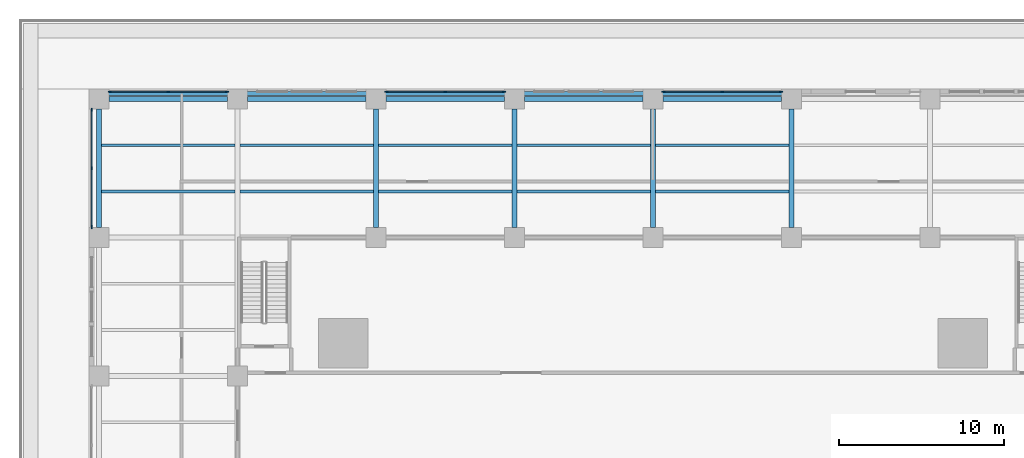
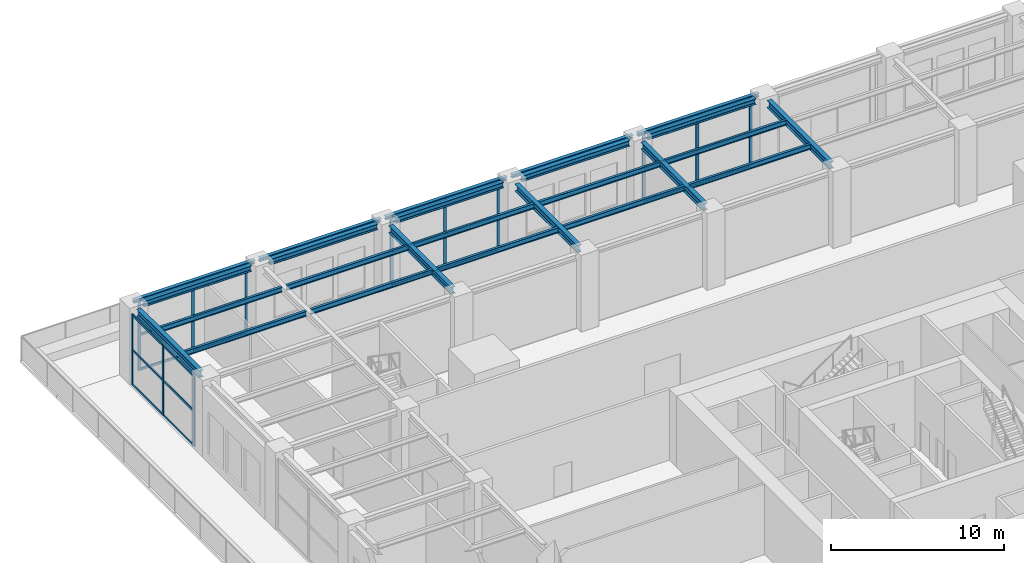
# One storey, part 9 of 36: 36 members, 25 beams, 4 elements without a shape of their own.
"""IFC4 building model written with IfcOpenShell, lengths in metres."""

from ifc_helpers import new_model, si_unit, direction, frame, origin, origin_2d, place, context, subcontext, project, spatial, rectangle, i_section, extrude, material, material_profile, profile_set, type_object, element, aggregate, save


model = new_model("IFC4")

# Units and contexts
model_context = context("Model", 3, precision=1e-05, world=origin(), true_north=direction((0.0, 1.0)))
body_context = subcontext(model_context, "Body", "Model", "MODEL_VIEW")
ifc_project = project(units=[si_unit("LENGTHUNIT", "METRE"), si_unit("AREAUNIT", "SQUARE_METRE"), si_unit("VOLUMEUNIT", "CUBIC_METRE"), si_unit("PLANEANGLEUNIT", "RADIAN"), si_unit("MASSUNIT", "GRAM", prefix="KILO")], contexts=[model_context])

# Site, building, storey
site_placement = place(None, origin())
site = spatial("IfcSite", under=ifc_project, at=site_placement, CompositionType="ELEMENT")
building_placement = place(site_placement, origin())
building = spatial("IfcBuilding", under=site, at=building_placement, Name="Khepri Terraces", CompositionType="ELEMENT")
storey_placement = place(building_placement, frame((0.0, 0.0, 16.800048828125)))
storey = spatial("IfcBuildingStorey", under=building, at=storey_placement, Name="L03", CompositionType="ELEMENT", Elevation=16.800048828125)

# Curtain wall, members
ifc_material_1 = material(Name="Anodised aluminium bronze curtain wall", Category="aluminium")
curtain_wall_type = type_object("IfcCurtainWallType", Name="CW-SYS5-BALLROOM", PredefinedType="NOTDEFINED", material=ifc_material_1)
curtain_wall_1_placement = place(storey_placement, origin())
curtain_wall_1 = element("IfcCurtainWall", 1, at=curtain_wall_1_placement, inside=storey, type_object=curtain_wall_type, Name="Curtain wall CW5 L03 N", PredefinedType="NOTDEFINED")
ifc_material_2 = material(Name="Anodised aluminium bronze", Category="aluminium")
ifc_material_profile_1 = material_profile(ifc_material_2, rectangle(XDim=0.080078125, YDim=0.199951171875, at=origin_2d()), Name="Anodised aluminium bronze", Category="aluminium")
ifc_profile_set_1 = profile_set([ifc_material_profile_1], Name="Anodised aluminium bronze")
member_type_1 = type_object("IfcMemberType", Name="CW-MULLION-80x200", PredefinedType="MULLION", material=ifc_profile_set_1)
member_1_placement = place(storey_placement, frame((7.760009765625, 34.050048828125, 0.0), z_axis=(0.0, 0.0, 1.0), x_axis=(0.0, -1.0, 0.0)))
member_1 = element("IfcMember", 2, at=member_1_placement, type_object=member_type_1, Name="CW5 mullion 1", PredefinedType="MULLION", context=body_context, shape_type="SweptSolid", body=[
    extrude(rectangle(XDim=0.080078125, YDim=0.199951171875, at=origin_2d()), origin(), (0.0, 0.0, 1.0), 4.97998046875),
])
member_2_placement = place(storey_placement, frame((4.199951171875, 34.050048828125, 0.0), z_axis=(0.0, 0.0, 1.0), x_axis=(0.0, -1.0, 0.0)))
member_2 = element("IfcMember", 3, at=member_2_placement, type_object=member_type_1, Name="CW5 mullion 2", PredefinedType="MULLION", context=body_context, shape_type="SweptSolid", body=[
    extrude(rectangle(XDim=0.080078125, YDim=0.199951171875, at=origin_2d()), origin(), (0.0, 0.0, 1.0), 4.97998046875),
])
member_3_placement = place(storey_placement, frame((0.639892578125, 34.050048828125, 0.0), z_axis=(0.0, 0.0, 1.0), x_axis=(0.0, -1.0, 0.0)))
member_3 = element("IfcMember", 4, at=member_3_placement, type_object=member_type_1, Name="CW5 mullion 3", PredefinedType="MULLION", context=body_context, shape_type="SweptSolid", body=[
    extrude(rectangle(XDim=0.080078125, YDim=0.199951171875, at=origin_2d()), origin(), (0.0, 0.0, 1.0), 4.97998046875),
])

curtain_wall_2_placement = place(storey_placement, origin())
curtain_wall_2 = element("IfcCurtainWall", 5, at=curtain_wall_2_placement, inside=storey, type_object=curtain_wall_type, Name="Curtain wall CW5 L03 N", PredefinedType="NOTDEFINED")
member_4_placement = place(storey_placement, frame((-9.0400390625, 34.050048828125, 0.0), z_axis=(0.0, 0.0, 1.0), x_axis=(0.0, -1.0, 0.0)))
member_4 = element("IfcMember", 6, at=member_4_placement, type_object=member_type_1, Name="CW5 mullion 1", PredefinedType="MULLION", context=body_context, shape_type="SweptSolid", body=[
    extrude(rectangle(XDim=0.080078125, YDim=0.199951171875, at=origin_2d()), origin(), (0.0, 0.0, 1.0), 4.97998046875),
])
member_5_placement = place(storey_placement, frame((-12.60009765625, 34.050048828125, 0.0), z_axis=(0.0, 0.0, 1.0), x_axis=(0.0, -1.0, 0.0)))
member_5 = element("IfcMember", 7, at=member_5_placement, type_object=member_type_1, Name="CW5 mullion 2", PredefinedType="MULLION", context=body_context, shape_type="SweptSolid", body=[
    extrude(rectangle(XDim=0.080078125, YDim=0.199951171875, at=origin_2d()), origin(), (0.0, 0.0, 1.0), 4.97998046875),
])
member_6_placement = place(storey_placement, frame((-16.159912109375, 34.050048828125, 0.0), z_axis=(0.0, 0.0, 1.0), x_axis=(0.0, -1.0, 0.0)))
member_6 = element("IfcMember", 8, at=member_6_placement, type_object=member_type_1, Name="CW5 mullion 3", PredefinedType="MULLION", context=body_context, shape_type="SweptSolid", body=[
    extrude(rectangle(XDim=0.080078125, YDim=0.199951171875, at=origin_2d()), origin(), (0.0, 0.0, 1.0), 4.97998046875),
])

curtain_wall_3_placement = place(storey_placement, origin())
curtain_wall_3 = element("IfcCurtainWall", 9, at=curtain_wall_3_placement, inside=storey, type_object=curtain_wall_type, Name="Curtain wall CW5 L03 N", PredefinedType="NOTDEFINED")
member_7_placement = place(storey_placement, frame((-25.840087890625, 34.050048828125, 0.0), z_axis=(0.0, 0.0, 1.0), x_axis=(0.0, -1.0, 0.0)))
member_7 = element("IfcMember", 10, at=member_7_placement, type_object=member_type_1, Name="CW5 mullion 1", PredefinedType="MULLION", context=body_context, shape_type="SweptSolid", body=[
    extrude(rectangle(XDim=0.080078125, YDim=0.199951171875, at=origin_2d()), origin(), (0.0, 0.0, 1.0), 4.97998046875),
])
member_8_placement = place(storey_placement, frame((-29.39990234375, 34.050048828125, 0.0), z_axis=(0.0, 0.0, 1.0), x_axis=(0.0, -1.0, 0.0)))
member_8 = element("IfcMember", 11, at=member_8_placement, type_object=member_type_1, Name="CW5 mullion 2", PredefinedType="MULLION", context=body_context, shape_type="SweptSolid", body=[
    extrude(rectangle(XDim=0.080078125, YDim=0.199951171875, at=origin_2d()), origin(), (0.0, 0.0, 1.0), 4.97998046875),
])
member_9_placement = place(storey_placement, frame((-32.9599609375, 34.050048828125, 0.0), z_axis=(0.0, 0.0, 1.0), x_axis=(0.0, -1.0, 0.0)))
member_9 = element("IfcMember", 12, at=member_9_placement, type_object=member_type_1, Name="CW5 mullion 3", PredefinedType="MULLION", context=body_context, shape_type="SweptSolid", body=[
    extrude(rectangle(XDim=0.080078125, YDim=0.199951171875, at=origin_2d()), origin(), (0.0, 0.0, 1.0), 4.97998046875),
])

curtain_wall_4_placement = place(storey_placement, origin())
curtain_wall_4 = element("IfcCurtainWall", 13, at=curtain_wall_4_placement, inside=storey, type_object=curtain_wall_type, Name="Curtain wall CW5 L03 W", PredefinedType="NOTDEFINED")
member_10_placement = place(storey_placement, frame((-34.050048828125, 32.9599609375, 0.0), z_axis=(0.0, 0.0, 1.0), x_axis=(1.0, 0.0, 0.0)))
member_10 = element("IfcMember", 14, at=member_10_placement, type_object=member_type_1, Name="CW5 mullion 1", PredefinedType="MULLION", context=body_context, shape_type="SweptSolid", body=[
    extrude(rectangle(XDim=0.080078125, YDim=0.199951171875, at=origin_2d()), origin(), (0.0, 0.0, 1.0), 4.97998046875),
])
member_11_placement = place(storey_placement, frame((-34.050048828125, 29.39990234375, 0.0), z_axis=(0.0, 0.0, 1.0), x_axis=(1.0, 0.0, 0.0)))
member_11 = element("IfcMember", 15, at=member_11_placement, type_object=member_type_1, Name="CW5 mullion 2", PredefinedType="MULLION", context=body_context, shape_type="SweptSolid", body=[
    extrude(rectangle(XDim=0.080078125, YDim=0.199951171875, at=origin_2d()), origin(), (0.0, 0.0, 1.0), 4.97998046875),
])
member_12_placement = place(storey_placement, frame((-34.050048828125, 25.840087890625, 0.0), z_axis=(0.0, 0.0, 1.0), x_axis=(1.0, 0.0, 0.0)))
member_12 = element("IfcMember", 16, at=member_12_placement, type_object=member_type_1, Name="CW5 mullion 3", PredefinedType="MULLION", context=body_context, shape_type="SweptSolid", body=[
    extrude(rectangle(XDim=0.080078125, YDim=0.199951171875, at=origin_2d()), origin(), (0.0, 0.0, 1.0), 4.97998046875),
])

# Member
ifc_material_profile_2 = material_profile(ifc_material_2, rectangle(XDim=0.080078125, YDim=0.159912109375, at=origin_2d()), Name="Anodised aluminium bronze", Category="aluminium")
ifc_profile_set_2 = profile_set([ifc_material_profile_2], Name="Anodised aluminium bronze")
member_type_2 = type_object("IfcMemberType", Name="CW-TRANSOM-80x160", PredefinedType="USERDEFINED", material=ifc_profile_set_2)
member_13_placement = place(storey_placement, frame((7.719970703125, 34.050048828125, 0.0400390625), z_axis=(-1.0, 0.0, 0.0), x_axis=(0.0, -1.0, 0.0)))
member_13 = element("IfcMember", 17, at=member_13_placement, type_object=member_type_2, Name="CW5 transom 1.1", ObjectType="TRANSOM", PredefinedType="USERDEFINED", context=body_context, shape_type="SweptSolid", body=[
    extrude(rectangle(XDim=0.080078125, YDim=0.159912109375, at=origin_2d()), origin(), (0.0, 0.0, 1.0), 3.47998046875),
])

member_14_placement = place(storey_placement, frame((7.719970703125, 34.050048828125, 2.489990234375), z_axis=(-1.0, 0.0, 0.0), x_axis=(0.0, -1.0, 0.0)))
member_14 = element("IfcMember", 18, at=member_14_placement, type_object=member_type_2, Name="CW5 transom 1.2", ObjectType="TRANSOM", PredefinedType="USERDEFINED", context=body_context, shape_type="SweptSolid", body=[
    extrude(rectangle(XDim=0.080078125, YDim=0.159912109375, at=origin_2d()), origin(), (0.0, 0.0, 1.0), 3.47998046875),
])

member_15_placement = place(storey_placement, frame((7.719970703125, 34.050048828125, 4.93994140625), z_axis=(-1.0, 0.0, 0.0), x_axis=(0.0, -1.0, 0.0)))
member_15 = element("IfcMember", 19, at=member_15_placement, type_object=member_type_2, Name="CW5 transom 1.3", ObjectType="TRANSOM", PredefinedType="USERDEFINED", context=body_context, shape_type="SweptSolid", body=[
    extrude(rectangle(XDim=0.080078125, YDim=0.159912109375, at=origin_2d()), origin(), (0.0, 0.0, 1.0), 3.47998046875),
])

member_16_placement = place(storey_placement, frame((4.159912109375, 34.050048828125, 0.0400390625), z_axis=(-1.0, 0.0, 0.0), x_axis=(0.0, -1.0, 0.0)))
member_16 = element("IfcMember", 20, at=member_16_placement, type_object=member_type_2, Name="CW5 transom 2.1", ObjectType="TRANSOM", PredefinedType="USERDEFINED", context=body_context, shape_type="SweptSolid", body=[
    extrude(rectangle(XDim=0.080078125, YDim=0.159912109375, at=origin_2d()), origin(), (0.0, 0.0, 1.0), 3.47998046875),
])

member_17_placement = place(storey_placement, frame((4.159912109375, 34.050048828125, 2.489990234375), z_axis=(-1.0, 0.0, 0.0), x_axis=(0.0, -1.0, 0.0)))
member_17 = element("IfcMember", 21, at=member_17_placement, type_object=member_type_2, Name="CW5 transom 2.2", ObjectType="TRANSOM", PredefinedType="USERDEFINED", context=body_context, shape_type="SweptSolid", body=[
    extrude(rectangle(XDim=0.080078125, YDim=0.159912109375, at=origin_2d()), origin(), (0.0, 0.0, 1.0), 3.47998046875),
])

member_18_placement = place(storey_placement, frame((4.159912109375, 34.050048828125, 4.93994140625), z_axis=(-1.0, 0.0, 0.0), x_axis=(0.0, -1.0, 0.0)))
member_18 = element("IfcMember", 22, at=member_18_placement, type_object=member_type_2, Name="CW5 transom 2.3", ObjectType="TRANSOM", PredefinedType="USERDEFINED", context=body_context, shape_type="SweptSolid", body=[
    extrude(rectangle(XDim=0.080078125, YDim=0.159912109375, at=origin_2d()), origin(), (0.0, 0.0, 1.0), 3.47998046875),
])

aggregate(curtain_wall_1, [member_1, member_2, member_3, member_13, member_14, member_15, member_16, member_17, member_18])

member_19_placement = place(storey_placement, frame((-9.080078125, 34.050048828125, 0.0400390625), z_axis=(-1.0, 0.0, 0.0), x_axis=(0.0, -1.0, 0.0)))
member_19 = element("IfcMember", 23, at=member_19_placement, type_object=member_type_2, Name="CW5 transom 1.1", ObjectType="TRANSOM", PredefinedType="USERDEFINED", context=body_context, shape_type="SweptSolid", body=[
    extrude(rectangle(XDim=0.080078125, YDim=0.159912109375, at=origin_2d()), origin(), (0.0, 0.0, 1.0), 3.47998046875),
])

member_20_placement = place(storey_placement, frame((-9.080078125, 34.050048828125, 2.489990234375), z_axis=(-1.0, 0.0, 0.0), x_axis=(0.0, -1.0, 0.0)))
member_20 = element("IfcMember", 24, at=member_20_placement, type_object=member_type_2, Name="CW5 transom 1.2", ObjectType="TRANSOM", PredefinedType="USERDEFINED", context=body_context, shape_type="SweptSolid", body=[
    extrude(rectangle(XDim=0.080078125, YDim=0.159912109375, at=origin_2d()), origin(), (0.0, 0.0, 1.0), 3.47998046875),
])

member_21_placement = place(storey_placement, frame((-9.080078125, 34.050048828125, 4.93994140625), z_axis=(-1.0, 0.0, 0.0), x_axis=(0.0, -1.0, 0.0)))
member_21 = element("IfcMember", 25, at=member_21_placement, type_object=member_type_2, Name="CW5 transom 1.3", ObjectType="TRANSOM", PredefinedType="USERDEFINED", context=body_context, shape_type="SweptSolid", body=[
    extrude(rectangle(XDim=0.080078125, YDim=0.159912109375, at=origin_2d()), origin(), (0.0, 0.0, 1.0), 3.47998046875),
])

member_22_placement = place(storey_placement, frame((-12.639892578125, 34.050048828125, 0.0400390625), z_axis=(-1.0, 0.0, 0.0), x_axis=(0.0, -1.0, 0.0)))
member_22 = element("IfcMember", 26, at=member_22_placement, type_object=member_type_2, Name="CW5 transom 2.1", ObjectType="TRANSOM", PredefinedType="USERDEFINED", context=body_context, shape_type="SweptSolid", body=[
    extrude(rectangle(XDim=0.080078125, YDim=0.159912109375, at=origin_2d()), origin(), (0.0, 0.0, 1.0), 3.480224609375),
])

member_23_placement = place(storey_placement, frame((-12.639892578125, 34.050048828125, 2.489990234375), z_axis=(-1.0, 0.0, 0.0), x_axis=(0.0, -1.0, 0.0)))
member_23 = element("IfcMember", 27, at=member_23_placement, type_object=member_type_2, Name="CW5 transom 2.2", ObjectType="TRANSOM", PredefinedType="USERDEFINED", context=body_context, shape_type="SweptSolid", body=[
    extrude(rectangle(XDim=0.080078125, YDim=0.159912109375, at=origin_2d()), origin(), (0.0, 0.0, 1.0), 3.480224609375),
])

member_24_placement = place(storey_placement, frame((-12.639892578125, 34.050048828125, 4.93994140625), z_axis=(-1.0, 0.0, 0.0), x_axis=(0.0, -1.0, 0.0)))
member_24 = element("IfcMember", 28, at=member_24_placement, type_object=member_type_2, Name="CW5 transom 2.3", ObjectType="TRANSOM", PredefinedType="USERDEFINED", context=body_context, shape_type="SweptSolid", body=[
    extrude(rectangle(XDim=0.080078125, YDim=0.159912109375, at=origin_2d()), origin(), (0.0, 0.0, 1.0), 3.480224609375),
])

aggregate(curtain_wall_2, [member_4, member_5, member_6, member_19, member_20, member_21, member_22, member_23, member_24])

member_25_placement = place(storey_placement, frame((-25.8798828125, 34.050048828125, 0.0400390625), z_axis=(-1.0, 0.0, 0.0), x_axis=(0.0, -1.0, 0.0)))
member_25 = element("IfcMember", 29, at=member_25_placement, type_object=member_type_2, Name="CW5 transom 1.1", ObjectType="TRANSOM", PredefinedType="USERDEFINED", context=body_context, shape_type="SweptSolid", body=[
    extrude(rectangle(XDim=0.080078125, YDim=0.159912109375, at=origin_2d()), origin(), (0.0, 0.0, 1.0), 3.480224609375),
])

member_26_placement = place(storey_placement, frame((-25.8798828125, 34.050048828125, 2.489990234375), z_axis=(-1.0, 0.0, 0.0), x_axis=(0.0, -1.0, 0.0)))
member_26 = element("IfcMember", 30, at=member_26_placement, type_object=member_type_2, Name="CW5 transom 1.2", ObjectType="TRANSOM", PredefinedType="USERDEFINED", context=body_context, shape_type="SweptSolid", body=[
    extrude(rectangle(XDim=0.080078125, YDim=0.159912109375, at=origin_2d()), origin(), (0.0, 0.0, 1.0), 3.480224609375),
])

member_27_placement = place(storey_placement, frame((-25.8798828125, 34.050048828125, 4.93994140625), z_axis=(-1.0, 0.0, 0.0), x_axis=(0.0, -1.0, 0.0)))
member_27 = element("IfcMember", 31, at=member_27_placement, type_object=member_type_2, Name="CW5 transom 1.3", ObjectType="TRANSOM", PredefinedType="USERDEFINED", context=body_context, shape_type="SweptSolid", body=[
    extrude(rectangle(XDim=0.080078125, YDim=0.159912109375, at=origin_2d()), origin(), (0.0, 0.0, 1.0), 3.480224609375),
])

member_28_placement = place(storey_placement, frame((-29.43994140625, 34.050048828125, 0.0400390625), z_axis=(-1.0, 0.0, 0.0), x_axis=(0.0, -1.0, 0.0)))
member_28 = element("IfcMember", 32, at=member_28_placement, type_object=member_type_2, Name="CW5 transom 2.1", ObjectType="TRANSOM", PredefinedType="USERDEFINED", context=body_context, shape_type="SweptSolid", body=[
    extrude(rectangle(XDim=0.080078125, YDim=0.159912109375, at=origin_2d()), origin(), (0.0, 0.0, 1.0), 3.47998046875),
])

member_29_placement = place(storey_placement, frame((-29.43994140625, 34.050048828125, 2.489990234375), z_axis=(-1.0, 0.0, 0.0), x_axis=(0.0, -1.0, 0.0)))
member_29 = element("IfcMember", 33, at=member_29_placement, type_object=member_type_2, Name="CW5 transom 2.2", ObjectType="TRANSOM", PredefinedType="USERDEFINED", context=body_context, shape_type="SweptSolid", body=[
    extrude(rectangle(XDim=0.080078125, YDim=0.159912109375, at=origin_2d()), origin(), (0.0, 0.0, 1.0), 3.47998046875),
])

member_30_placement = place(storey_placement, frame((-29.43994140625, 34.050048828125, 4.93994140625), z_axis=(-1.0, 0.0, 0.0), x_axis=(0.0, -1.0, 0.0)))
member_30 = element("IfcMember", 34, at=member_30_placement, type_object=member_type_2, Name="CW5 transom 2.3", ObjectType="TRANSOM", PredefinedType="USERDEFINED", context=body_context, shape_type="SweptSolid", body=[
    extrude(rectangle(XDim=0.080078125, YDim=0.159912109375, at=origin_2d()), origin(), (0.0, 0.0, 1.0), 3.47998046875),
])

aggregate(curtain_wall_3, [member_7, member_8, member_9, member_25, member_26, member_27, member_28, member_29, member_30])

member_31_placement = place(storey_placement, frame((-34.050048828125, 32.919921875, 0.0400390625), z_axis=(0.0, -1.0, 0.0), x_axis=(1.0, 0.0, 0.0)))
member_31 = element("IfcMember", 35, at=member_31_placement, type_object=member_type_2, Name="CW5 transom 1.1", ObjectType="TRANSOM", PredefinedType="USERDEFINED", context=body_context, shape_type="SweptSolid", body=[
    extrude(rectangle(XDim=0.080078125, YDim=0.159912109375, at=origin_2d()), origin(), (0.0, 0.0, 1.0), 3.47998046875),
])

member_32_placement = place(storey_placement, frame((-34.050048828125, 32.919921875, 2.489990234375), z_axis=(0.0, -1.0, 0.0), x_axis=(1.0, 0.0, 0.0)))
member_32 = element("IfcMember", 36, at=member_32_placement, type_object=member_type_2, Name="CW5 transom 1.2", ObjectType="TRANSOM", PredefinedType="USERDEFINED", context=body_context, shape_type="SweptSolid", body=[
    extrude(rectangle(XDim=0.080078125, YDim=0.159912109375, at=origin_2d()), origin(), (0.0, 0.0, 1.0), 3.47998046875),
])

member_33_placement = place(storey_placement, frame((-34.050048828125, 32.919921875, 4.93994140625), z_axis=(0.0, -1.0, 0.0), x_axis=(1.0, 0.0, 0.0)))
member_33 = element("IfcMember", 37, at=member_33_placement, type_object=member_type_2, Name="CW5 transom 1.3", ObjectType="TRANSOM", PredefinedType="USERDEFINED", context=body_context, shape_type="SweptSolid", body=[
    extrude(rectangle(XDim=0.080078125, YDim=0.159912109375, at=origin_2d()), origin(), (0.0, 0.0, 1.0), 3.47998046875),
])

member_34_placement = place(storey_placement, frame((-34.050048828125, 29.360107421875, 0.0400390625), z_axis=(0.0, -1.0, 0.0), x_axis=(1.0, 0.0, 0.0)))
member_34 = element("IfcMember", 38, at=member_34_placement, type_object=member_type_2, Name="CW5 transom 2.1", ObjectType="TRANSOM", PredefinedType="USERDEFINED", context=body_context, shape_type="SweptSolid", body=[
    extrude(rectangle(XDim=0.080078125, YDim=0.159912109375, at=origin_2d()), origin(), (0.0, 0.0, 1.0), 3.480224609375),
])

member_35_placement = place(storey_placement, frame((-34.050048828125, 29.360107421875, 2.489990234375), z_axis=(0.0, -1.0, 0.0), x_axis=(1.0, 0.0, 0.0)))
member_35 = element("IfcMember", 39, at=member_35_placement, type_object=member_type_2, Name="CW5 transom 2.2", ObjectType="TRANSOM", PredefinedType="USERDEFINED", context=body_context, shape_type="SweptSolid", body=[
    extrude(rectangle(XDim=0.080078125, YDim=0.159912109375, at=origin_2d()), origin(), (0.0, 0.0, 1.0), 3.480224609375),
])

member_36_placement = place(storey_placement, frame((-34.050048828125, 29.360107421875, 4.93994140625), z_axis=(0.0, -1.0, 0.0), x_axis=(1.0, 0.0, 0.0)))
member_36 = element("IfcMember", 40, at=member_36_placement, type_object=member_type_2, Name="CW5 transom 2.3", ObjectType="TRANSOM", PredefinedType="USERDEFINED", context=body_context, shape_type="SweptSolid", body=[
    extrude(rectangle(XDim=0.080078125, YDim=0.159912109375, at=origin_2d()), origin(), (0.0, 0.0, 1.0), 3.480224609375),
])

aggregate(curtain_wall_4, [member_10, member_11, member_12, member_31, member_32, member_33, member_34, member_35, member_36])

# Beams
ifc_material_3 = material(Name="Steel S355", Category="steel")
ifc_material_profile_3 = material_profile(ifc_material_3, i_section(OverallWidth=0.239990234375, OverallDepth=0.22998046875, WebThickness=0.007568359375, FlangeThickness=0.011962890625, FilletRadius=0.02099609375, at=origin_2d()), Name="Steel S355", Category="steel")
ifc_profile_set_3 = profile_set([ifc_material_profile_3], Name="Steel S355")
beam_type_1 = type_object("IfcBeamType", Name="Podium edge beam L04 HEA 240", PredefinedType="SPANDREL", material=ifc_profile_set_3)
beam_1_placement = place(storey_placement, frame((-33.449951171875, 33.949951171875, 5.0849609375), z_axis=(1.0, 0.0, 0.0), x_axis=(0.0, 1.0, 0.0)))
element("IfcBeam", 41, at=beam_1_placement, inside=storey, type_object=beam_type_1, Name="Podium edge beam L04 009", PredefinedType="SPANDREL", context=body_context, shape_type="SweptSolid", body=[
    extrude(i_section(OverallWidth=0.239990234375, OverallDepth=0.22998046875, WebThickness=0.007568359375, FlangeThickness=0.011962890625, FilletRadius=0.02099609375, at=origin_2d()), origin(), (0.0, 0.0, 1.0), 8.099853515625),
])
beam_2_placement = place(storey_placement, frame((-25.050048828125, 33.949951171875, 5.0849609375), z_axis=(1.0, 0.0, 0.0), x_axis=(0.0, 1.0, 0.0)))
element("IfcBeam", 42, at=beam_2_placement, inside=storey, type_object=beam_type_1, Name="Podium edge beam L04 010", PredefinedType="SPANDREL", context=body_context, shape_type="SweptSolid", body=[
    extrude(i_section(OverallWidth=0.239990234375, OverallDepth=0.22998046875, WebThickness=0.007568359375, FlangeThickness=0.011962890625, FilletRadius=0.02099609375, at=origin_2d()), origin(), (0.0, 0.0, 1.0), 8.10009765625),
])
beam_3_placement = place(storey_placement, frame((-16.64990234375, 33.949951171875, 5.0849609375), z_axis=(1.0, 0.0, 0.0), x_axis=(0.0, 1.0, 0.0)))
element("IfcBeam", 43, at=beam_3_placement, inside=storey, type_object=beam_type_1, Name="Podium edge beam L04 011", PredefinedType="SPANDREL", context=body_context, shape_type="SweptSolid", body=[
    extrude(i_section(OverallWidth=0.239990234375, OverallDepth=0.22998046875, WebThickness=0.007568359375, FlangeThickness=0.011962890625, FilletRadius=0.02099609375, at=origin_2d()), origin(), (0.0, 0.0, 1.0), 8.099853515625),
])
for number, where, z_axis, x_axis, name in (
    (44, (-8.25, 33.949951171875, 5.0849609375), (1.0, 0.0, 0.0), (0.0, 1.0, 0.0), "Podium edge beam L04 012"),
    (45, (0.14990234375, 33.949951171875, 5.0849609375), (1.0, 0.0, 0.0), (0.0, 1.0, 0.0), "Podium edge beam L04 013"),
):
    element("IfcBeam", number, at=place(storey_placement, frame(where, z_axis=z_axis, x_axis=x_axis)), inside=storey, type_object=beam_type_1, Name=name, PredefinedType="SPANDREL", context=body_context, shape_type="SweptSolid", body=[
        extrude(i_section(OverallWidth=0.239990234375, OverallDepth=0.22998046875, WebThickness=0.007568359375, FlangeThickness=0.011962890625, FilletRadius=0.02099609375, at=origin_2d()), origin(), (0.0, 0.0, 1.0), 8.10009765625),
    ])
ifc_material_profile_4 = material_profile(ifc_material_3, i_section(OverallWidth=0.300048828125, OverallDepth=0.5, WebThickness=0.014404296875, FlangeThickness=0.028076171875, FilletRadius=0.027099609375, at=origin_2d()), Name="Steel S355", Category="steel")
ifc_profile_set_4 = profile_set([ifc_material_profile_4], Name="Steel S355")
beam_type_2 = type_object("IfcBeamType", Name="Podium girder L04 HEB 500", PredefinedType="BEAM", material=ifc_profile_set_4)
for number, where, z_axis, x_axis, name in (
    (46, (-33.60009765625, 25.800048828125, 4.949951171875), (0.0, 1.0, 0.0), (-1.0, 0.0, 0.0), "Podium girder L04 008"),
    (47, (-16.800048828125, 25.800048828125, 4.949951171875), (0.0, 1.0, 0.0), (-1.0, 0.0, 0.0), "Podium girder L04 016"),
    (48, (-8.39990234375, 25.800048828125, 4.949951171875), (0.0, 1.0, 0.0), (-1.0, 0.0, 0.0), "Podium girder L04 018"),
    (49, (0.0, 25.800048828125, 4.949951171875), (0.0, 1.0, 0.0), (-1.0, 0.0, 0.0), "Podium girder L04 020"),
    (50, (8.39990234375, 25.800048828125, 4.949951171875), (0.0, 1.0, 0.0), (-1.0, 0.0, 0.0), "Podium girder L04 022"),
):
    element("IfcBeam", number, at=place(storey_placement, frame(where, z_axis=z_axis, x_axis=x_axis)), inside=storey, type_object=beam_type_2, Name=name, PredefinedType="BEAM", context=body_context, shape_type="SweptSolid", body=[
        extrude(i_section(OverallWidth=0.300048828125, OverallDepth=0.5, WebThickness=0.014404296875, FlangeThickness=0.028076171875, FilletRadius=0.027099609375, at=origin_2d()), origin(), (0.0, 0.0, 1.0), 7.199951171875),
    ])
ifc_material_profile_5 = material_profile(ifc_material_3, i_section(OverallWidth=0.300048828125, OverallDepth=0.39990234375, WebThickness=0.013427734375, FlangeThickness=0.02392578125, FilletRadius=0.027099609375, at=origin_2d()), Name="Steel S355", Category="steel")
ifc_profile_set_5 = profile_set([ifc_material_profile_5], Name="Steel S355")
beam_type_3 = type_object("IfcBeamType", Name="Podium girder L04 grid line HEB 400", PredefinedType="BEAM", material=ifc_profile_set_5)
beam_4_placement = place(storey_placement, frame((-33.0, 33.60009765625, 5.0), z_axis=(1.0, 0.0, 0.0), x_axis=(0.0, 1.0, 0.0)))
element("IfcBeam", 51, at=beam_4_placement, inside=storey, type_object=beam_type_3, Name="Podium grid-line girder L04 087", PredefinedType="BEAM", context=body_context, shape_type="SweptSolid", body=[
    extrude(i_section(OverallWidth=0.300048828125, OverallDepth=0.39990234375, WebThickness=0.013427734375, FlangeThickness=0.02392578125, FilletRadius=0.027099609375, at=origin_2d()), origin(), (0.0, 0.0, 1.0), 7.199951171875),
])
beam_5_placement = place(storey_placement, frame((-24.60009765625, 33.60009765625, 5.0), z_axis=(1.0, 0.0, 0.0), x_axis=(0.0, 1.0, 0.0)))
element("IfcBeam", 52, at=beam_5_placement, inside=storey, type_object=beam_type_3, Name="Podium grid-line girder L04 088", PredefinedType="BEAM", context=body_context, shape_type="SweptSolid", body=[
    extrude(i_section(OverallWidth=0.300048828125, OverallDepth=0.39990234375, WebThickness=0.013427734375, FlangeThickness=0.02392578125, FilletRadius=0.027099609375, at=origin_2d()), origin(), (0.0, 0.0, 1.0), 7.2001953125),
])
for number, where, z_axis, x_axis, name in (
    (53, (-16.199951171875, 33.60009765625, 5.0), (1.0, 0.0, 0.0), (0.0, 1.0, 0.0), "Podium grid-line girder L04 089"),
    (54, (-7.800048828125, 33.60009765625, 5.0), (1.0, 0.0, 0.0), (0.0, 1.0, 0.0), "Podium grid-line girder L04 090"),
    (55, (0.60009765625, 33.60009765625, 5.0), (1.0, 0.0, 0.0), (0.0, 1.0, 0.0), "Podium grid-line girder L04 091"),
):
    element("IfcBeam", number, at=place(storey_placement, frame(where, z_axis=z_axis, x_axis=x_axis)), inside=storey, type_object=beam_type_3, Name=name, PredefinedType="BEAM", context=body_context, shape_type="SweptSolid", body=[
        extrude(i_section(OverallWidth=0.300048828125, OverallDepth=0.39990234375, WebThickness=0.013427734375, FlangeThickness=0.02392578125, FilletRadius=0.027099609375, at=origin_2d()), origin(), (0.0, 0.0, 1.0), 7.199951171875),
    ])
ifc_material_profile_6 = material_profile(ifc_material_3, i_section(OverallWidth=0.169921875, OverallDepth=0.360107421875, WebThickness=0.008056640625, FlangeThickness=0.0126953125, FilletRadius=0.01806640625, at=origin_2d()), Name="Steel S355", Category="steel")
ifc_profile_set_6 = profile_set([ifc_material_profile_6], Name="Steel S355")
beam_type_4 = type_object("IfcBeamType", Name="Podium joist L04 IPE 360", PredefinedType="JOIST", material=ifc_profile_set_6)
beam_6_placement = place(storey_placement, frame((-33.449951171875, 28.0, 5.02001953125), z_axis=(1.0, 0.0, 0.0), x_axis=(0.0, 1.0, 0.0)))
element("IfcBeam", 56, at=beam_6_placement, inside=storey, type_object=beam_type_4, Name="Podium joist L04 071", PredefinedType="JOIST", context=body_context, shape_type="SweptSolid", body=[
    extrude(i_section(OverallWidth=0.169921875, OverallDepth=0.360107421875, WebThickness=0.008056640625, FlangeThickness=0.0126953125, FilletRadius=0.01806640625, at=origin_2d()), origin(), (0.0, 0.0, 1.0), 8.099853515625),
])
beam_7_placement = place(storey_placement, frame((-25.050048828125, 28.0, 5.02001953125), z_axis=(1.0, 0.0, 0.0), x_axis=(0.0, 1.0, 0.0)))
element("IfcBeam", 57, at=beam_7_placement, inside=storey, type_object=beam_type_4, Name="Podium joist L04 072", PredefinedType="JOIST", context=body_context, shape_type="SweptSolid", body=[
    extrude(i_section(OverallWidth=0.169921875, OverallDepth=0.360107421875, WebThickness=0.008056640625, FlangeThickness=0.0126953125, FilletRadius=0.01806640625, at=origin_2d()), origin(), (0.0, 0.0, 1.0), 8.10009765625),
])
beam_8_placement = place(storey_placement, frame((-16.64990234375, 28.0, 5.02001953125), z_axis=(1.0, 0.0, 0.0), x_axis=(0.0, 1.0, 0.0)))
element("IfcBeam", 58, at=beam_8_placement, inside=storey, type_object=beam_type_4, Name="Podium joist L04 073", PredefinedType="JOIST", context=body_context, shape_type="SweptSolid", body=[
    extrude(i_section(OverallWidth=0.169921875, OverallDepth=0.360107421875, WebThickness=0.008056640625, FlangeThickness=0.0126953125, FilletRadius=0.01806640625, at=origin_2d()), origin(), (0.0, 0.0, 1.0), 8.099853515625),
])
for number, where, z_axis, x_axis, name in (
    (59, (-8.25, 28.0, 5.02001953125), (1.0, 0.0, 0.0), (0.0, 1.0, 0.0), "Podium joist L04 074"),
    (60, (0.14990234375, 28.0, 5.02001953125), (1.0, 0.0, 0.0), (0.0, 1.0, 0.0), "Podium joist L04 075"),
):
    element("IfcBeam", number, at=place(storey_placement, frame(where, z_axis=z_axis, x_axis=x_axis)), inside=storey, type_object=beam_type_4, Name=name, PredefinedType="JOIST", context=body_context, shape_type="SweptSolid", body=[
        extrude(i_section(OverallWidth=0.169921875, OverallDepth=0.360107421875, WebThickness=0.008056640625, FlangeThickness=0.0126953125, FilletRadius=0.01806640625, at=origin_2d()), origin(), (0.0, 0.0, 1.0), 8.10009765625),
    ])
beam_9_placement = place(storey_placement, frame((-33.449951171875, 30.800048828125, 5.02001953125), z_axis=(1.0, 0.0, 0.0), x_axis=(0.0, 1.0, 0.0)))
element("IfcBeam", 61, at=beam_9_placement, inside=storey, type_object=beam_type_4, Name="Podium joist L04 079", PredefinedType="JOIST", context=body_context, shape_type="SweptSolid", body=[
    extrude(i_section(OverallWidth=0.169921875, OverallDepth=0.360107421875, WebThickness=0.008056640625, FlangeThickness=0.0126953125, FilletRadius=0.01806640625, at=origin_2d()), origin(), (0.0, 0.0, 1.0), 8.099853515625),
])
beam_10_placement = place(storey_placement, frame((-25.050048828125, 30.800048828125, 5.02001953125), z_axis=(1.0, 0.0, 0.0), x_axis=(0.0, 1.0, 0.0)))
element("IfcBeam", 62, at=beam_10_placement, inside=storey, type_object=beam_type_4, Name="Podium joist L04 080", PredefinedType="JOIST", context=body_context, shape_type="SweptSolid", body=[
    extrude(i_section(OverallWidth=0.169921875, OverallDepth=0.360107421875, WebThickness=0.008056640625, FlangeThickness=0.0126953125, FilletRadius=0.01806640625, at=origin_2d()), origin(), (0.0, 0.0, 1.0), 8.10009765625),
])
beam_11_placement = place(storey_placement, frame((-16.64990234375, 30.800048828125, 5.02001953125), z_axis=(1.0, 0.0, 0.0), x_axis=(0.0, 1.0, 0.0)))
element("IfcBeam", 63, at=beam_11_placement, inside=storey, type_object=beam_type_4, Name="Podium joist L04 081", PredefinedType="JOIST", context=body_context, shape_type="SweptSolid", body=[
    extrude(i_section(OverallWidth=0.169921875, OverallDepth=0.360107421875, WebThickness=0.008056640625, FlangeThickness=0.0126953125, FilletRadius=0.01806640625, at=origin_2d()), origin(), (0.0, 0.0, 1.0), 8.099853515625),
])
for number, where, z_axis, x_axis, name in (
    (64, (-8.25, 30.800048828125, 5.02001953125), (1.0, 0.0, 0.0), (0.0, 1.0, 0.0), "Podium joist L04 082"),
    (65, (0.14990234375, 30.800048828125, 5.02001953125), (1.0, 0.0, 0.0), (0.0, 1.0, 0.0), "Podium joist L04 083"),
):
    element("IfcBeam", number, at=place(storey_placement, frame(where, z_axis=z_axis, x_axis=x_axis)), inside=storey, type_object=beam_type_4, Name=name, PredefinedType="JOIST", context=body_context, shape_type="SweptSolid", body=[
        extrude(i_section(OverallWidth=0.169921875, OverallDepth=0.360107421875, WebThickness=0.008056640625, FlangeThickness=0.0126953125, FilletRadius=0.01806640625, at=origin_2d()), origin(), (0.0, 0.0, 1.0), 8.10009765625),
    ])

save(model, "model.ifc")
